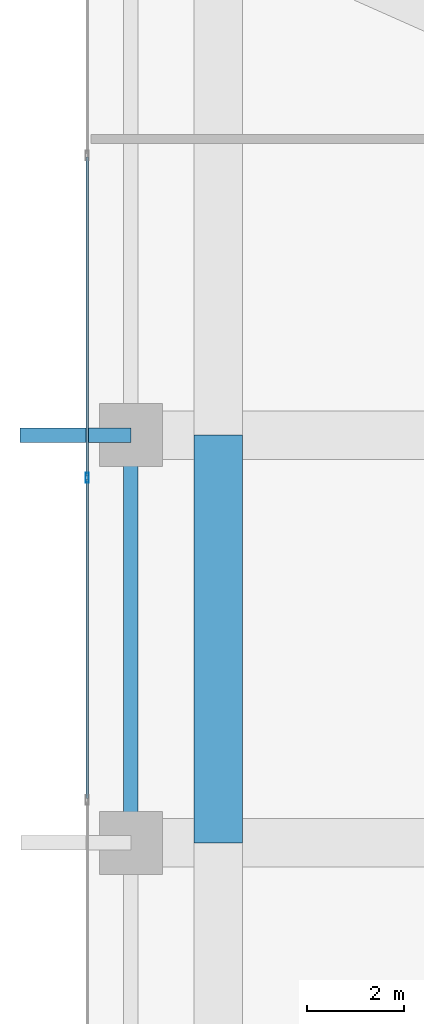
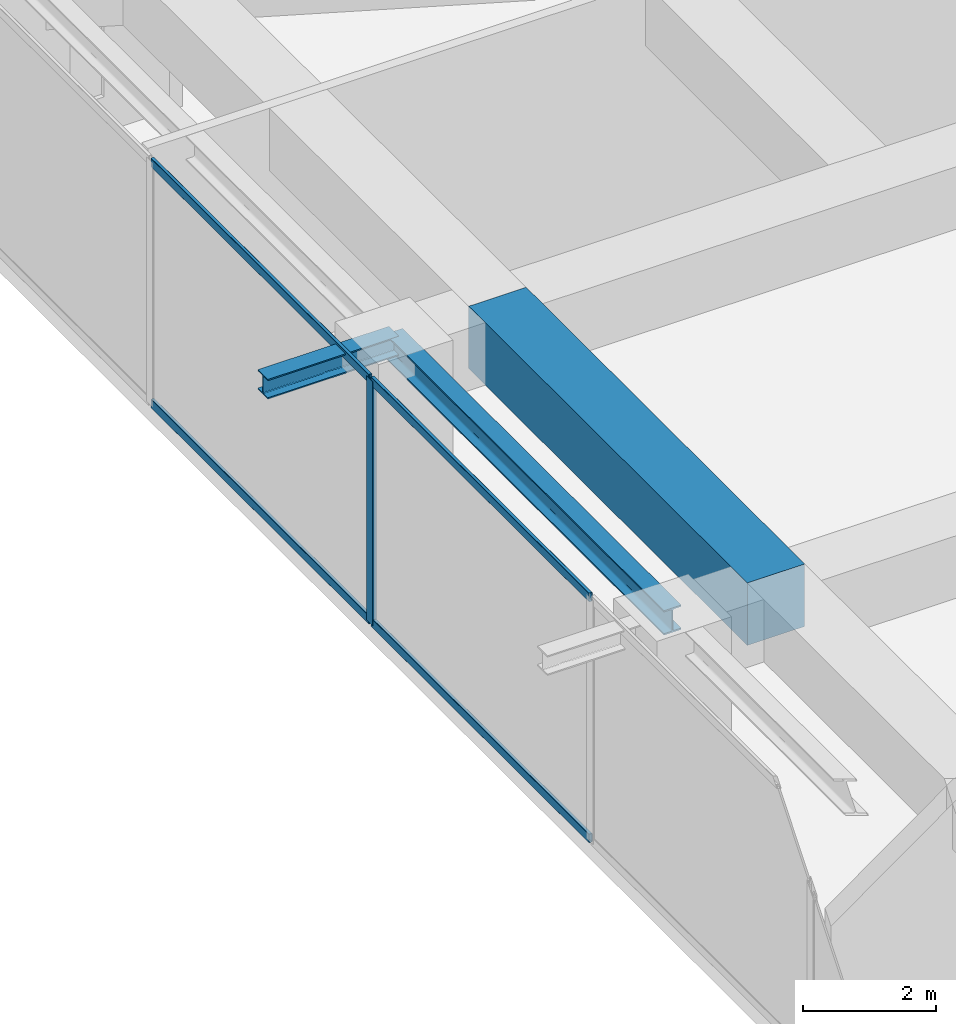
# One storey, part 9 of 35: 5 members, 3 beams, 1 element without a shape of its own.
"""IFC4 building model written with IfcOpenShell, lengths in metres."""

import ifcopenshell
import ifcopenshell.guid

model = None  # the IFC model being written
_history = None  # IfcOwnerHistory: only IFC2X3 demands one
_inside = {}  # id of a spatial element -> (the spatial element, [elements in it])
_under = {}  # id of a project, library or spatial element -> (it, [spatial elements below it])
_declared = {}  # id of a project -> (the project, [libraries it declares])
_typed = {}  # id of a type object -> (the type object, [elements of that type])
_made_of = {}  # id of a material, layer set ... -> (it, [elements and type objects made of it])


def new_model(schema):
    """Start an empty IFC model of exactly this schema.

    Asked for "IFC4X3", IfcOpenShell would pick the latest addendum, in which some entities
    have other attributes; the version numbers below select the first issue.
    IFC2X3 requires an IfcOwnerHistory on every rooted entity: one is made here for all.
    """
    global model, _history
    if schema == "IFC4X3":
        model = ifcopenshell.file(schema_version=(4, 3, 0, 0))
    else:
        model = ifcopenshell.file(schema=schema)
    _inside.clear()
    _under.clear()
    _declared.clear()
    _typed.clear()
    _made_of.clear()
    _history = None
    if model.schema == "IFC2X3":
        org = make("IfcOrganization", Name="unknown")
        user = make(
            "IfcPersonAndOrganization",
            ThePerson=make("IfcPerson", FamilyName="unknown"),
            TheOrganization=org,
        )
        app = make(
            "IfcApplication",
            ApplicationDeveloper=org,
            Version="unknown",
            ApplicationFullName="unknown",
            ApplicationIdentifier="unknown",
        )
        _history = make(
            "IfcOwnerHistory",
            OwningUser=user,
            OwningApplication=app,
            ChangeAction="ADDED",
            CreationDate=0,
        )
    return model


def make(cls, **values):
    """One entity of the class cls with the attributes given. An attribute that is None is left unset."""
    return model.create_entity(
        cls, **{name: value for name, value in values.items() if value is not None}
    )


def rooted(cls, **values):
    """An entity with a GlobalId (a new one), such as an element, a storey or a relation."""
    return make(cls, GlobalId=ifcopenshell.guid.new(), OwnerHistory=_history, **values)


def si_unit(unit_type, name, prefix=None):
    """IfcSIUnit, for example si_unit("LENGTHUNIT", "METRE", prefix="MILLI")."""
    return make("IfcSIUnit", UnitType=unit_type, Prefix=prefix, Name=name)


def assignment(units):
    """IfcUnitAssignment: the units of a project."""
    return None if units is None else make("IfcUnitAssignment", Units=units)


def point(xyz):
    """IfcCartesianPoint."""
    return None if xyz is None else make("IfcCartesianPoint", Coordinates=xyz)


def direction(xyz):
    """IfcDirection."""
    return None if xyz is None else make("IfcDirection", DirectionRatios=xyz)


def frame(location, z_axis=None, x_axis=None):
    """IfcAxis2Placement3D, a coordinate frame: its origin and axes. An axis left out is left unset."""
    return make(
        "IfcAxis2Placement3D",
        Location=point(location),
        Axis=direction(z_axis),
        RefDirection=direction(x_axis),
    )


def frame_2d(location, x_axis=None):
    """IfcAxis2Placement2D, a coordinate frame in the plane: its origin and x axis."""
    return make(
        "IfcAxis2Placement2D", Location=point(location), RefDirection=direction(x_axis)
    )


def origin():
    """The frame at (0, 0, 0) with its axes left unset."""
    return frame((0.0, 0.0, 0.0))


def origin_2d():
    """The frame at (0, 0) in the plane with its x axis left unset."""
    return frame_2d((0.0, 0.0))


def place(relative_to, where):
    """IfcLocalPlacement: puts the frame where relative to a parent placement (None: the world)."""
    return make(
        "IfcLocalPlacement", PlacementRelTo=relative_to, RelativePlacement=where
    )


def context(
    kind, dimensions, precision=None, world=None, true_north=None, identifier=None
):
    """IfcGeometricRepresentationContext, for example the 3D "Model" context."""
    return make(
        "IfcGeometricRepresentationContext",
        ContextIdentifier=identifier,
        ContextType=kind,
        CoordinateSpaceDimension=dimensions,
        Precision=precision,
        WorldCoordinateSystem=world,
        TrueNorth=true_north,
    )


def subcontext(parent, identifier, kind, view, scale=None):
    """IfcGeometricRepresentationSubContext, for example "Body" below "Model"."""
    return make(
        "IfcGeometricRepresentationSubContext",
        ContextIdentifier=identifier,
        ContextType=kind,
        ParentContext=parent,
        TargetScale=scale,
        TargetView=view,
    )


def project(units=None, contexts=None):
    """IfcProject with its units and contexts."""
    return rooted(
        "IfcProject",
        Name="project",
        RepresentationContexts=contexts,
        UnitsInContext=assignment(units),
    )


def spatial(cls, under=None, at=None, **own):
    """A site, building, storey or space (cls), placed at a placement, below another one or the project."""
    s = rooted(cls, ObjectPlacement=at, **own)
    if under is not None:
        _under.setdefault(under.id(), (under, []))[1].append(s)
    return s


def profile(cls, at=None, kind="AREA", **sizes):
    """A parametric profile (cls). Its sizes go by their IFC names, for example OverallWidth=200.0."""
    return make(cls, ProfileType=kind, Position=at, **sizes)


def rectangle(**sizes):
    """IfcRectangleProfileDef."""
    return profile("IfcRectangleProfileDef", **sizes)


def hollow_rectangle(**sizes):
    """IfcRectangleHollowProfileDef."""
    return profile("IfcRectangleHollowProfileDef", **sizes)


def i_section(**sizes):
    """IfcIShapeProfileDef."""
    return profile("IfcIShapeProfileDef", **sizes)


def extrude(swept, where, along, depth):
    """IfcExtrudedAreaSolid: the profile swept, set in the frame where, extruded along a direction by depth."""
    return make(
        "IfcExtrudedAreaSolid",
        SweptArea=swept,
        Position=where,
        ExtrudedDirection=direction(along),
        Depth=depth,
    )


def shape(context_of_items, identifier, shape_type, items):
    """IfcShapeRepresentation: the items that make up one representation, for example the "Body"."""
    return make(
        "IfcShapeRepresentation",
        ContextOfItems=context_of_items,
        RepresentationIdentifier=identifier,
        RepresentationType=shape_type,
        Items=items,
    )


def source(mapping_origin, context_of_items, identifier, shape_type, items):
    """IfcRepresentationMap: a shape defined once, which mapped items show again and again."""
    return make(
        "IfcRepresentationMap",
        MappingOrigin=mapping_origin,
        MappedRepresentation=shape(context_of_items, identifier, shape_type, items),
    )


def transform(
    local_origin,
    x_axis=None,
    y_axis=None,
    z_axis=None,
    scale=None,
    scale2=None,
    scale3=None,
    uniform=True,
):
    """IfcCartesianTransformationOperator3D, or its non-uniform kind. x_axis, y_axis, z_axis: its Axis1, 2, 3."""
    if uniform:
        return make(
            "IfcCartesianTransformationOperator3D",
            Axis1=direction(x_axis),
            Axis2=direction(y_axis),
            LocalOrigin=point(local_origin),
            Scale=scale,
            Axis3=direction(z_axis),
        )
    return make(
        "IfcCartesianTransformationOperator3DnonUniform",
        Axis1=direction(x_axis),
        Axis2=direction(y_axis),
        LocalOrigin=point(local_origin),
        Scale=scale,
        Axis3=direction(z_axis),
        Scale2=scale2,
        Scale3=scale3,
    )


def mapped(mapping_source, mapping_target):
    """IfcMappedItem: shows the shape of a source again, moved by a transform."""
    return make(
        "IfcMappedItem", MappingSource=mapping_source, MappingTarget=mapping_target
    )


def material(Name=None, Category=None):
    """IfcMaterial."""
    return make("IfcMaterial", Name=Name, Category=Category)


def layer(
    of_material, thickness, ventilated=None, Name=None, Category=None, Priority=None
):
    """IfcMaterialLayer: one layer of a wall or slab, of a material (None: an air gap)."""
    return make(
        "IfcMaterialLayer",
        Material=of_material,
        LayerThickness=thickness,
        IsVentilated=ventilated,
        Name=Name,
        Category=Category,
        Priority=Priority,
    )


def layer_set(layers, Name=None):
    """IfcMaterialLayerSet."""
    return make("IfcMaterialLayerSet", MaterialLayers=layers, LayerSetName=Name)


def material_profile(
    of_material, cross_section, Name=None, Category=None, Priority=None
):
    """IfcMaterialProfile: a cross section and its material."""
    return make(
        "IfcMaterialProfile",
        Name=Name,
        Material=of_material,
        Profile=cross_section,
        Priority=Priority,
        Category=Category,
    )


def profile_set(profiles, Name=None, composite=None):
    """IfcMaterialProfileSet."""
    return make(
        "IfcMaterialProfileSet",
        Name=Name,
        MaterialProfiles=profiles,
        CompositeProfile=composite,
    )


def made_of(thing, what):
    """Note that an element or type object is made of a material, layer set ...; save() writes the relation."""
    if what is not None:
        _made_of.setdefault(what.id(), (what, []))[1].append(thing)
    return thing


def type_object(cls, material=None, **own):
    """A type object (cls), such as IfcWallType, which elements share."""
    return made_of(rooted(cls, **own), material)


def element(
    cls,
    number,
    at=None,
    inside=None,
    cuts=None,
    type_object=None,
    material=None,
    context=None,
    identifier="Body",
    shape_type=None,
    held_by="IfcProductDefinitionShape",
    body=None,
    shapes=None,
    **own,
):
    """One element of the class cls, such as IfcWall. Its Tag is "e" and its number.

    at: its placement. inside: the storey or other place that contains it. cuts: it is an
    opening in that element (IfcRelVoidsElement). A single representation is given by context,
    identifier, shape_type and body (its items); several are given by shapes. held_by: the class
    of the entity that holds the representations. save() writes the other relations.
    """
    e = rooted(cls, Tag="e%d" % number, ObjectPlacement=at, **own)
    if body is not None:
        shapes = [shape(context, identifier, shape_type, body)]
    if shapes is not None:
        e.Representation = make(held_by, Representations=shapes)
    if inside is not None:
        _inside.setdefault(inside.id(), (inside, []))[1].append(e)
    if cuts is not None:
        rooted(
            "IfcRelVoidsElement", RelatingBuildingElement=cuts, RelatedOpeningElement=e
        )
    if type_object is not None:
        _typed.setdefault(type_object.id(), (type_object, []))[1].append(e)
    return made_of(e, material)


def aggregate(whole, parts):
    """IfcRelAggregates: a whole, such as a stair, and the parts it consists of."""
    return rooted("IfcRelAggregates", RelatingObject=whole, RelatedObjects=parts)


def save(model, path):
    """Write the relations noted so far, then the file.

    IfcRelAggregates (storeys below a building ...), IfcRelContainedInSpatialStructure (elements
    in a storey), IfcRelDefinesByType, IfcRelAssociatesMaterial and IfcRelDeclares: one each for
    every whole, place, type object, material and project.
    """
    for whole, parts in _under.values():
        aggregate(whole, parts)
    for where, things in _inside.values():
        rooted(
            "IfcRelContainedInSpatialStructure",
            RelatedElements=things,
            RelatingStructure=where,
        )
    for kind, things in _typed.values():
        rooted("IfcRelDefinesByType", RelatedObjects=things, RelatingType=kind)
    for what, things in _made_of.values():
        rooted("IfcRelAssociatesMaterial", RelatedObjects=things, RelatingMaterial=what)
    for by, libraries in _declared.values():
        rooted("IfcRelDeclares", RelatingContext=by, RelatedDefinitions=libraries)
    model.write(path)


model = new_model("IFC4")

# Units and contexts
model_context = context("Model", 3, precision=1e-05, world=origin(), true_north=direction((0.0, 1.0)))
body_context = subcontext(model_context, "Body", "Model", "MODEL_VIEW")
ifc_project = project(units=[si_unit("LENGTHUNIT", "METRE"), si_unit("AREAUNIT", "SQUARE_METRE"), si_unit("VOLUMEUNIT", "CUBIC_METRE"), si_unit("PLANEANGLEUNIT", "RADIAN"), si_unit("MASSUNIT", "GRAM", prefix="KILO")], contexts=[model_context])

# Site, building, storey
site_placement = place(None, origin())
site = spatial("IfcSite", under=ifc_project, at=site_placement, CompositionType="ELEMENT")
building_placement = place(site_placement, origin())
building = spatial("IfcBuilding", under=site, at=building_placement, Name="Serunith Strait Residences", CompositionType="ELEMENT")
storey_placement = place(building_placement, frame((0.0, 0.0, 115.199951171875)))
storey = spatial("IfcBuildingStorey", under=building, at=storey_placement, Name="L28", CompositionType="ELEMENT", Elevation=115.199951171875)

# Beams
ifc_material_1 = material(Name="Steel S355J2", Category="steel")
ifc_material_profile_1 = material_profile(ifc_material_1, i_section(OverallWidth=0.300048828125, OverallDepth=0.449951171875, WebThickness=0.013916015625, FlangeThickness=0.02587890625, FilletRadius=0.027099609375, at=origin_2d()), Name="HEB 450")
ifc_profile_set_1 = profile_set([ifc_material_profile_1], Name="Steel S355J2")
beam_type_1 = type_object("IfcBeamType", Name="BM-HEB450", PredefinedType="BEAM", material=ifc_profile_set_1)
shared_shape_1 = source(origin(), body_context, "Body", "SweptSolid", [
    extrude(i_section(OverallWidth=0.300048828125, OverallDepth=0.449951171875, WebThickness=0.013916015625, FlangeThickness=0.02587890625, FilletRadius=0.027099609375, at=origin_2d()), origin(), (0.0, 0.0, 1.0), 8.39990234375),
])
beam_1_placement = place(storey_placement, frame((6.89990234375, 29.39990234375, 4.281982421875), z_axis=(0.0, -1.0, 0.0), x_axis=(1.0, 0.0, 0.0)))
element("IfcBeam", 1, at=beam_1_placement, inside=storey, type_object=beam_type_1, Name="L28 Perimeter Ring Beam 14", PredefinedType="BEAM", context=body_context, shape_type="MappedRepresentation", body=[
    mapped(shared_shape_1, transform((0.0, 0.0, 0.0), scale=1.0)),
])
ifc_material_2 = material(Name="Concrete C80/95", Category="concrete")
ifc_material_profile_2 = material_profile(ifc_material_2, rectangle(XDim=1.0, YDim=1.14990234375, at=origin_2d()), Name="RC 1000x1150")
ifc_profile_set_2 = profile_set([ifc_material_profile_2], Name="Concrete C80/95")
beam_type_2 = type_object("IfcBeamType", Name="BM-XFER-1000x1150", PredefinedType="BEAM", material=ifc_profile_set_2)
shared_shape_2 = source(origin(), body_context, "Body", "SweptSolid", [
    extrude(rectangle(XDim=1.0, YDim=1.14990234375, at=origin_2d()), origin(), (0.0, 0.0, 1.0), 8.39990234375),
])
beam_2_placement = place(storey_placement, frame((8.699951171875, 29.39990234375, 3.93505859375), z_axis=(0.0, -1.0, 0.0), x_axis=(1.0, 0.0, 0.0)))
element("IfcBeam", 2, at=beam_2_placement, inside=storey, type_object=beam_type_2, Name="L28 Flare Upper Ring Transfer Girder 14", PredefinedType="BEAM", context=body_context, shape_type="MappedRepresentation", body=[
    mapped(shared_shape_2, transform((0.0, 0.0, 0.0), scale=1.0)),
])
ifc_material_profile_3 = material_profile(ifc_material_1, i_section(OverallWidth=0.300048828125, OverallDepth=0.360107421875, WebThickness=0.012451171875, FlangeThickness=0.0224609375, FilletRadius=0.027099609375, at=origin_2d()), Name="HEB 360")
ifc_profile_set_3 = profile_set([ifc_material_profile_3], Name="Steel S355J2")
beam_type_3 = type_object("IfcBeamType", Name="BM-HEB360", PredefinedType="BEAM", material=ifc_profile_set_3)
shared_shape_3 = source(origin(), body_context, "Body", "SweptSolid", [
    extrude(i_section(OverallWidth=0.300048828125, OverallDepth=0.360107421875, WebThickness=0.012451171875, FlangeThickness=0.0224609375, FilletRadius=0.027099609375, at=origin_2d()), origin(), (0.0, 0.0, 1.0), 2.28466796875),
])
beam_3_placement = place(storey_placement, frame((6.89990234375, 29.39990234375, 4.3271484375), z_axis=(-1.0, 0.0, 0.0), x_axis=(0.0, -1.0, 0.0)))
element("IfcBeam", 3, at=beam_3_placement, inside=storey, type_object=beam_type_3, Name="L29 Cantilevered Balcony Rib TC-W3", PredefinedType="BEAM", context=body_context, shape_type="MappedRepresentation", body=[
    mapped(shared_shape_3, transform((0.0, 0.0, 0.0), scale=1.0)),
])

# Curtain wall, members
ifc_material_3 = material(Name="Pale-Champagne Anodised Aluminium", Category="aluminium")
ifc_layer = layer(ifc_material_3, 0.199951171875, Name="Pale-Champagne Anodised Aluminium")
ifc_layer_set = layer_set([ifc_layer], Name="Pale-Champagne Anodised Aluminium")
curtain_wall_type = type_object("IfcCurtainWallType", Name="CW-SYS1", PredefinedType="NOTDEFINED", material=ifc_layer_set)
curtain_wall_placement = place(storey_placement, origin())
curtain_wall = element("IfcCurtainWall", 4, at=curtain_wall_placement, inside=storey, type_object=curtain_wall_type, Name="L28 W Unitised Fritted Curtain Wall", PredefinedType="NOTDEFINED")
ifc_material_profile_4 = material_profile(ifc_material_3, hollow_rectangle(XDim=0.06005859375, YDim=0.159912109375, WallThickness=0.00341796875, InnerFilletRadius=0.00537109375, OuterFilletRadius=0.0087890625, at=origin_2d()), Name="ALU 160x60x3.5")
ifc_profile_set_4 = profile_set([ifc_material_profile_4], Name="Pale-Champagne Anodised Aluminium")
member_type_1 = type_object("IfcMemberType", Name="CW-SYS1-TRAN", PredefinedType="USERDEFINED", material=ifc_profile_set_4)
shared_shape_4 = source(origin(), body_context, "Body", "SweptSolid", [
    extrude(hollow_rectangle(XDim=0.06005859375, YDim=0.159912109375, WallThickness=0.00341796875, InnerFilletRadius=0.00537109375, OuterFilletRadius=0.0087890625, at=origin_2d()), origin(), (0.0, 0.0, 1.0), 6.570068359375),
])
member_1_placement = place(storey_placement, frame((6.0, 35.125, 0.030029296875), z_axis=(0.0, -1.0, 0.0), x_axis=(1.0, 0.0, 0.0)))
member_1 = element("IfcMember", 5, at=member_1_placement, type_object=member_type_1, Name="CW-1 transom 2.1", ObjectType="TRANSOM", PredefinedType="USERDEFINED", context=body_context, shape_type="MappedRepresentation", body=[
    mapped(shared_shape_4, transform((0.0, 0.0, 0.0), scale=1.0)),
])
member_2_placement = place(storey_placement, frame((6.0, 35.125, 4.465087890625), z_axis=(0.0, -1.0, 0.0), x_axis=(1.0, 0.0, 0.0)))
member_2 = element("IfcMember", 6, at=member_2_placement, type_object=member_type_1, Name="CW-1 transom 2.2", ObjectType="TRANSOM", PredefinedType="USERDEFINED", context=body_context, shape_type="MappedRepresentation", body=[
    mapped(shared_shape_4, transform((0.0, 0.0, 0.0), scale=1.0)),
])
member_3_placement = place(storey_placement, frame((6.0, 28.485107421875, 0.030029296875), z_axis=(0.0, -1.0, 0.0), x_axis=(1.0, 0.0, 0.0)))
member_3 = element("IfcMember", 7, at=member_3_placement, type_object=member_type_1, Name="CW-1 transom 3.1", ObjectType="TRANSOM", PredefinedType="USERDEFINED", context=body_context, shape_type="MappedRepresentation", body=[
    mapped(shared_shape_4, transform((0.0, 0.0, 0.0), scale=1.0)),
])
member_4_placement = place(storey_placement, frame((6.0, 28.485107421875, 4.465087890625), z_axis=(0.0, -1.0, 0.0), x_axis=(1.0, 0.0, 0.0)))
member_4 = element("IfcMember", 8, at=member_4_placement, type_object=member_type_1, Name="CW-1 transom 3.2", ObjectType="TRANSOM", PredefinedType="USERDEFINED", context=body_context, shape_type="MappedRepresentation", body=[
    mapped(shared_shape_4, transform((0.0, 0.0, 0.0), scale=1.0)),
])
ifc_material_profile_5 = material_profile(ifc_material_3, hollow_rectangle(XDim=0.070068359375, YDim=0.199951171875, WallThickness=0.00390625, InnerFilletRadius=0.006103515625, OuterFilletRadius=0.010009765625, at=origin_2d()), Name="ALU 200x70x4")
ifc_profile_set_5 = profile_set([ifc_material_profile_5], Name="Pale-Champagne Anodised Aluminium")
member_type_2 = type_object("IfcMemberType", Name="CW-SYS1-MULL", PredefinedType="MULLION", material=ifc_profile_set_5)
shared_shape_5 = source(origin(), body_context, "Body", "SweptSolid", [
    extrude(hollow_rectangle(XDim=0.070068359375, YDim=0.199951171875, WallThickness=0.00390625, InnerFilletRadius=0.006103515625, OuterFilletRadius=0.010009765625, at=origin_2d()), origin(), (0.0, 0.0, 1.0), 4.4951171875),
])
member_5_placement = place(storey_placement, frame((6.0, 28.52001953125, 0.0), z_axis=(0.0, 0.0, 1.0), x_axis=(1.0, 0.0, 0.0)))
member_5 = element("IfcMember", 9, at=member_5_placement, type_object=member_type_2, Name="CW-1 mullion 3", PredefinedType="MULLION", context=body_context, shape_type="MappedRepresentation", body=[
    mapped(shared_shape_5, transform((0.0, 0.0, 0.0), scale=1.0)),
])
aggregate(curtain_wall, [member_5, member_1, member_2, member_3, member_4])

save(model, "model.ifc")
